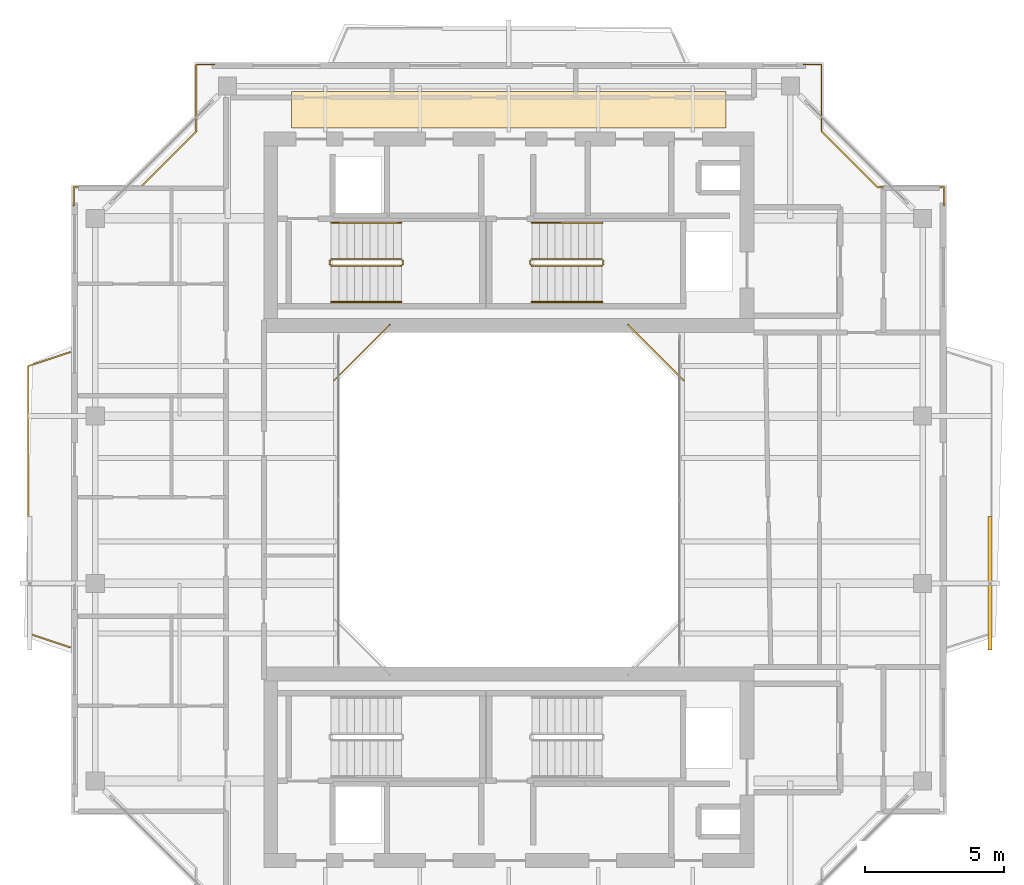
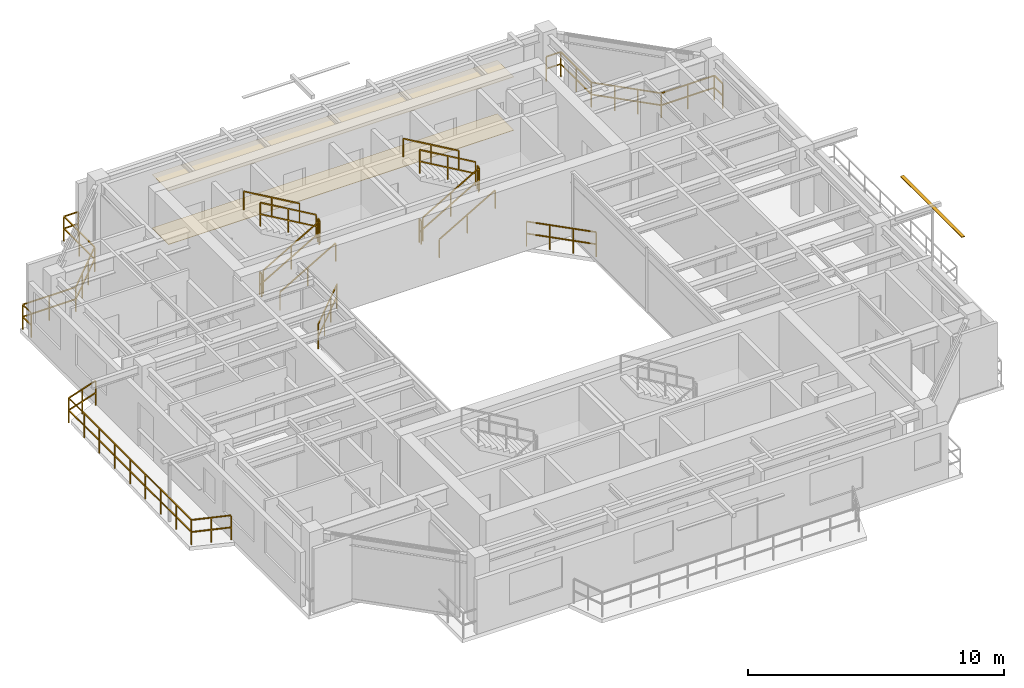
# One storey, part 14 of 15: 17 railings, 2 coverings, 1 shading device.
"""IFC4 building model written with IfcOpenShell, lengths in metres."""

from ifc_helpers import new_model, si_unit, direction, frame, origin, origin_2d, place, context, subcontext, project, spatial, polyline, rectangle, outline, extrude, source, transform, mapped, material, layer, layer_set, material_profile, profile_set, type_object, element, save


model = new_model("IFC4")

# Units and contexts
model_context = context("Model", 3, precision=1e-05, world=origin(), true_north=direction((0.0, 1.0)))
body_context = subcontext(model_context, "Body", "Model", "MODEL_VIEW")
ifc_project = project(units=[si_unit("LENGTHUNIT", "METRE"), si_unit("AREAUNIT", "SQUARE_METRE"), si_unit("VOLUMEUNIT", "CUBIC_METRE"), si_unit("PLANEANGLEUNIT", "RADIAN"), si_unit("MASSUNIT", "GRAM", prefix="KILO"), si_unit("THERMODYNAMICTEMPERATUREUNIT", "KELVIN"), si_unit("POWERUNIT", "WATT")], contexts=[model_context])

# Site, building, storey
site_placement = place(None, origin())
site = spatial("IfcSite", under=ifc_project, at=site_placement, CompositionType="ELEMENT")
building_placement = place(site_placement, origin())
building = spatial("IfcBuilding", under=site, at=building_placement, Name="Qiaomeng Ring Towers", CompositionType="ELEMENT")
storey_placement = place(building_placement, frame((0.0, 0.0, 256.75)))
storey = spatial("IfcBuildingStorey", under=building, at=storey_placement, Name="L75", CompositionType="ELEMENT", Elevation=256.75)

# Coverings
ifc_material_1 = material(Name="Moisture-resistant gypsum ceiling board", Category="gypsum")
ifc_layer_1 = layer(ifc_material_1, 0.030029296875, Name="Moisture-resistant gypsum ceiling board")
ifc_layer_set_1 = layer_set([ifc_layer_1], Name="Moisture-resistant gypsum ceiling board")
covering_type_1 = type_object("IfcCoveringType", Name="ARC-COV-CEIL2", PredefinedType="CEILING", material=ifc_layer_set_1)
covering_1_placement = place(storey_placement, frame((0.0, 0.0, 2.550048828125)))
element("IfcCovering", 1, at=covering_1_placement, inside=storey, type_object=covering_type_1, Name="L75 Corridor Acoustic Ceiling", PredefinedType="CEILING", context=body_context, shape_type="SweptSolid", body=[
    extrude(outline(polyline([(11.199951171875, 36.35009765625), (11.199951171875, 37.64990234375), (26.800048828125, 37.64990234375), (26.800048828125, 36.35009765625), (11.199951171875, 36.35009765625)])), origin(), (0.0, 0.0, 1.0), 0.02490234375),
])
ifc_material_2 = material(Name="Vitrified porcelain floor tile", Category="ceramic")
ifc_layer_2 = layer(ifc_material_2, 0.02001953125, Name="Vitrified porcelain floor tile")
ifc_layer_set_2 = layer_set([ifc_layer_2], Name="Vitrified porcelain floor tile")
covering_type_2 = type_object("IfcCoveringType", Name="ARC-COV-FLR1", PredefinedType="FLOORING", material=ifc_layer_set_2)
covering_2_placement = place(storey_placement, origin())
element("IfcCovering", 2, at=covering_2_placement, inside=storey, type_object=covering_type_2, Name="L75 Corridor Stone Flooring", PredefinedType="FLOORING", context=body_context, shape_type="SweptSolid", body=[
    extrude(outline(polyline([(11.199951171875, 36.35009765625), (11.199951171875, 37.64990234375), (26.800048828125, 37.64990234375), (26.800048828125, 36.35009765625), (11.199951171875, 36.35009765625)])), origin(), (0.0, 0.0, 1.0), 0.02001953125),
])

# Railings
ifc_material_3 = material(Name="Low-E pale-green laminated safety glass", Category="glass")
railing_type_1 = type_object("IfcRailingType", Name="ARC-RL-BAL1", PredefinedType="BALUSTRADE", material=ifc_material_3)
railing_1_placement = place(storey_placement, frame((25.280029296875, 27.280029296875, 0.0)))
element("IfcRailing", 3, at=railing_1_placement, inside=storey, type_object=railing_type_1, Name="L75 Balustrade ARC-BAL-WELL1-L75-2", PredefinedType="BALUSTRADE", context=body_context, shape_type="SweptSolid", body=[
    extrude(rectangle(XDim=0.048095703125, YDim=0.048095703125, at=origin_2d()), frame((0.0, 0.0, 1.17578125), z_axis=(-0.707106781187, 0.707106781187, 0.0), x_axis=(-0.707106781187, -0.707106781187, 0.0)), (0.0, 0.0, 1.0), 2.828369140625),
    extrude(rectangle(XDim=0.048095703125, YDim=0.048095703125, at=origin_2d()), frame((0.0, 0.0, 0.60009765625), z_axis=(-0.707106781187, 0.707106781187, 0.0), x_axis=(-0.707106781187, -0.707106781187, 0.0)), (0.0, 0.0, 1.0), 2.828369140625),
    extrude(rectangle(XDim=0.0419921875, YDim=0.0419921875, at=origin_2d()), origin(), (0.0, 0.0, 1.0), 1.15185546875),
    extrude(rectangle(XDim=0.0419921875, YDim=0.0419921875, at=origin_2d()), frame((-0.666748046875, 0.666748046875, 0.0)), (0.0, 0.0, 1.0), 1.15185546875),
    extrude(rectangle(XDim=0.0419921875, YDim=0.0419921875, at=origin_2d()), frame((-1.333251953125, 1.333251953125, 0.0)), (0.0, 0.0, 1.0), 1.15185546875),
    extrude(rectangle(XDim=0.0419921875, YDim=0.0419921875, at=origin_2d()), frame((-2.0, 2.0, 0.0)), (0.0, 0.0, 1.0), 1.15185546875),
])
railing_2_placement = place(storey_placement, frame((14.719970703125, 29.280029296875, 0.0)))
element("IfcRailing", 4, at=railing_2_placement, inside=storey, type_object=railing_type_1, Name="L75 Balustrade ARC-BAL-WELL1-L75-3", PredefinedType="BALUSTRADE", context=body_context, shape_type="SweptSolid", body=[
    extrude(rectangle(XDim=0.048095703125, YDim=0.048095703125, at=origin_2d()), frame((0.0, 0.0, 1.17578125), z_axis=(-0.707106781187, -0.707106781187, 0.0), x_axis=(0.707106781187, -0.707106781187, 0.0)), (0.0, 0.0, 1.0), 2.828369140625),
    extrude(rectangle(XDim=0.048095703125, YDim=0.048095703125, at=origin_2d()), frame((0.0, 0.0, 0.60009765625), z_axis=(-0.707106781187, -0.707106781187, 0.0), x_axis=(0.707106781187, -0.707106781187, 0.0)), (0.0, 0.0, 1.0), 2.828369140625),
    extrude(rectangle(XDim=0.0419921875, YDim=0.0419921875, at=origin_2d()), origin(), (0.0, 0.0, 1.0), 1.15185546875),
    extrude(rectangle(XDim=0.0419921875, YDim=0.0419921875, at=origin_2d()), frame((-0.666748046875, -0.666748046875, 0.0)), (0.0, 0.0, 1.0), 1.15185546875),
    extrude(rectangle(XDim=0.0419921875, YDim=0.0419921875, at=origin_2d()), frame((-1.333251953125, -1.333251953125, 0.0)), (0.0, 0.0, 1.0), 1.15185546875),
    extrude(rectangle(XDim=0.0419921875, YDim=0.0419921875, at=origin_2d()), frame((-2.0, -2.0, 0.0)), (0.0, 0.0, 1.0), 1.15185546875),
])
railing_3_placement = place(storey_placement, frame((34.6201171875, 33.570068359375, 0.0)))
element("IfcRailing", 5, at=railing_3_placement, inside=storey, type_object=railing_type_1, Name="L75 Balustrade ARC-BAL-NOTCH1-L75-NE", PredefinedType="BALUSTRADE", context=body_context, shape_type="SweptSolid", body=[
    extrude(rectangle(XDim=0.048095703125, YDim=0.048095703125, at=origin_2d()), frame((0.0, 0.0, 1.17578125), z_axis=(0.0, 1.0, 0.0), x_axis=(-1.0, 0.0, 0.0)), (0.0, 0.0, 1.0), 0.64990234375),
    extrude(rectangle(XDim=0.048095703125, YDim=0.048095703125, at=origin_2d()), frame((0.0, 0.0, 0.60009765625), z_axis=(0.0, 1.0, 0.0), x_axis=(-1.0, 0.0, 0.0)), (0.0, 0.0, 1.0), 0.64990234375),
    extrude(rectangle(XDim=0.048095703125, YDim=0.048095703125, at=origin_2d()), frame((0.0, 0.64990234375, 1.17578125), z_axis=(-1.0, 0.0, 0.0), x_axis=(0.0, -1.0, 0.0)), (0.0, 0.0, 1.0), 2.400146484375),
    extrude(rectangle(XDim=0.048095703125, YDim=0.048095703125, at=origin_2d()), frame((0.0, 0.64990234375, 0.60009765625), z_axis=(-1.0, 0.0, 0.0), x_axis=(0.0, -1.0, 0.0)), (0.0, 0.0, 1.0), 2.400146484375),
    extrude(rectangle(XDim=0.048095703125, YDim=0.048095703125, at=origin_2d()), frame((-2.400146484375, 0.64990234375, 1.17578125), z_axis=(-0.707106781187, 0.707106781187, 0.0), x_axis=(-0.707106781187, -0.707106781187, 0.0)), (0.0, 0.0, 1.0), 2.828369140625),
    extrude(rectangle(XDim=0.048095703125, YDim=0.048095703125, at=origin_2d()), frame((-2.400146484375, 0.64990234375, 0.60009765625), z_axis=(-0.707106781187, 0.707106781187, 0.0), x_axis=(-0.707106781187, -0.707106781187, 0.0)), (0.0, 0.0, 1.0), 2.828369140625),
    extrude(rectangle(XDim=0.048095703125, YDim=0.048095703125, at=origin_2d()), frame((-4.400146484375, 2.64990234375, 1.17578125), z_axis=(0.0, 1.0, 0.0), x_axis=(-1.0, 0.0, 0.0)), (0.0, 0.0, 1.0), 2.400146484375),
    extrude(rectangle(XDim=0.048095703125, YDim=0.048095703125, at=origin_2d()), frame((-4.400146484375, 2.64990234375, 0.60009765625), z_axis=(0.0, 1.0, 0.0), x_axis=(-1.0, 0.0, 0.0)), (0.0, 0.0, 1.0), 2.400146484375),
    extrude(rectangle(XDim=0.048095703125, YDim=0.048095703125, at=origin_2d()), frame((-4.400146484375, 5.050048828125, 1.17578125), z_axis=(-1.0, 0.0, 0.0), x_axis=(0.0, -1.0, 0.0)), (0.0, 0.0, 1.0), 0.64990234375),
    extrude(rectangle(XDim=0.048095703125, YDim=0.048095703125, at=origin_2d()), frame((-4.400146484375, 5.050048828125, 0.60009765625), z_axis=(-1.0, 0.0, 0.0), x_axis=(0.0, -1.0, 0.0)), (0.0, 0.0, 1.0), 0.64990234375),
    extrude(rectangle(XDim=0.0419921875, YDim=0.0419921875, at=origin_2d()), origin(), (0.0, 0.0, 1.0), 1.15185546875),
    extrude(rectangle(XDim=0.0419921875, YDim=0.0419921875, at=origin_2d()), frame((0.0, 0.64990234375, 0.0)), (0.0, 0.0, 1.0), 1.15185546875),
    extrude(rectangle(XDim=0.0419921875, YDim=0.0419921875, at=origin_2d()), frame((-1.2001953125, 0.64990234375, 0.0)), (0.0, 0.0, 1.0), 1.15185546875),
    extrude(rectangle(XDim=0.0419921875, YDim=0.0419921875, at=origin_2d()), frame((-2.400146484375, 0.64990234375, 0.0)), (0.0, 0.0, 1.0), 1.15185546875),
    extrude(rectangle(XDim=0.0419921875, YDim=0.0419921875, at=origin_2d()), frame((-3.06689453125, 1.316650390625, 0.0)), (0.0, 0.0, 1.0), 1.15185546875),
    extrude(rectangle(XDim=0.0419921875, YDim=0.0419921875, at=origin_2d()), frame((-3.7333984375, 1.983154296875, 0.0)), (0.0, 0.0, 1.0), 1.15185546875),
    extrude(rectangle(XDim=0.0419921875, YDim=0.0419921875, at=origin_2d()), frame((-4.400146484375, 2.64990234375, 0.0)), (0.0, 0.0, 1.0), 1.15185546875),
    extrude(rectangle(XDim=0.0419921875, YDim=0.0419921875, at=origin_2d()), frame((-4.400146484375, 3.85009765625, 0.0)), (0.0, 0.0, 1.0), 1.15185546875),
    extrude(rectangle(XDim=0.0419921875, YDim=0.0419921875, at=origin_2d()), frame((-4.400146484375, 5.050048828125, 0.0)), (0.0, 0.0, 1.0), 1.15185546875),
    extrude(rectangle(XDim=0.0419921875, YDim=0.0419921875, at=origin_2d()), frame((-5.050048828125, 5.050048828125, 0.0)), (0.0, 0.0, 1.0), 1.15185546875),
])
railing_4_placement = place(storey_placement, frame((8.429931640625, 38.6201171875, 0.0)))
element("IfcRailing", 6, at=railing_4_placement, inside=storey, type_object=railing_type_1, Name="L75 Balustrade ARC-BAL-NOTCH1-L75-NW", PredefinedType="BALUSTRADE", context=body_context, shape_type="SweptSolid", body=[
    extrude(rectangle(XDim=0.048095703125, YDim=0.048095703125, at=origin_2d()), frame((0.0, 0.0, 1.17578125), z_axis=(-1.0, 0.0, 0.0), x_axis=(0.0, -1.0, 0.0)), (0.0, 0.0, 1.0), 0.64990234375),
    extrude(rectangle(XDim=0.048095703125, YDim=0.048095703125, at=origin_2d()), frame((0.0, 0.0, 0.60009765625), z_axis=(-1.0, 0.0, 0.0), x_axis=(0.0, -1.0, 0.0)), (0.0, 0.0, 1.0), 0.64990234375),
    extrude(rectangle(XDim=0.048095703125, YDim=0.048095703125, at=origin_2d()), frame((-0.64990234375, 0.0, 1.17578125), z_axis=(0.0, -1.0, 0.0), x_axis=(1.0, 0.0, 0.0)), (0.0, 0.0, 1.0), 2.400146484375),
    extrude(rectangle(XDim=0.048095703125, YDim=0.048095703125, at=origin_2d()), frame((-0.64990234375, 0.0, 0.60009765625), z_axis=(0.0, -1.0, 0.0), x_axis=(1.0, 0.0, 0.0)), (0.0, 0.0, 1.0), 2.400146484375),
    extrude(rectangle(XDim=0.048095703125, YDim=0.048095703125, at=origin_2d()), frame((-0.64990234375, -2.400146484375, 1.17578125), z_axis=(-0.707106781187, -0.707106781187, 0.0), x_axis=(0.707106781187, -0.707106781187, 0.0)), (0.0, 0.0, 1.0), 2.828369140625),
    extrude(rectangle(XDim=0.048095703125, YDim=0.048095703125, at=origin_2d()), frame((-0.64990234375, -2.400146484375, 0.60009765625), z_axis=(-0.707106781187, -0.707106781187, 0.0), x_axis=(0.707106781187, -0.707106781187, 0.0)), (0.0, 0.0, 1.0), 2.828369140625),
    extrude(rectangle(XDim=0.048095703125, YDim=0.048095703125, at=origin_2d()), frame((-2.64990234375, -4.400146484375, 1.17578125), z_axis=(-1.0, 0.0, 0.0), x_axis=(0.0, -1.0, 0.0)), (0.0, 0.0, 1.0), 2.400146484375),
    extrude(rectangle(XDim=0.048095703125, YDim=0.048095703125, at=origin_2d()), frame((-2.64990234375, -4.400146484375, 0.60009765625), z_axis=(-1.0, 0.0, 0.0), x_axis=(0.0, -1.0, 0.0)), (0.0, 0.0, 1.0), 2.400146484375),
    extrude(rectangle(XDim=0.048095703125, YDim=0.048095703125, at=origin_2d()), frame((-5.050048828125, -4.400146484375, 1.17578125), z_axis=(0.0, -1.0, 0.0), x_axis=(1.0, 0.0, 0.0)), (0.0, 0.0, 1.0), 0.64990234375),
    extrude(rectangle(XDim=0.048095703125, YDim=0.048095703125, at=origin_2d()), frame((-5.050048828125, -4.400146484375, 0.60009765625), z_axis=(0.0, -1.0, 0.0), x_axis=(1.0, 0.0, 0.0)), (0.0, 0.0, 1.0), 0.64990234375),
    extrude(rectangle(XDim=0.0419921875, YDim=0.0419921875, at=origin_2d()), origin(), (0.0, 0.0, 1.0), 1.15185546875),
    extrude(rectangle(XDim=0.0419921875, YDim=0.0419921875, at=origin_2d()), frame((-0.64990234375, 0.0, 0.0)), (0.0, 0.0, 1.0), 1.15185546875),
    extrude(rectangle(XDim=0.0419921875, YDim=0.0419921875, at=origin_2d()), frame((-0.64990234375, -1.2001953125, 0.0)), (0.0, 0.0, 1.0), 1.15185546875),
    extrude(rectangle(XDim=0.0419921875, YDim=0.0419921875, at=origin_2d()), frame((-0.64990234375, -2.400146484375, 0.0)), (0.0, 0.0, 1.0), 1.15185546875),
    extrude(rectangle(XDim=0.0419921875, YDim=0.0419921875, at=origin_2d()), frame((-1.316650390625, -3.06689453125, 0.0)), (0.0, 0.0, 1.0), 1.15185546875),
    extrude(rectangle(XDim=0.0419921875, YDim=0.0419921875, at=origin_2d()), frame((-1.983154296875, -3.7333984375, 0.0)), (0.0, 0.0, 1.0), 1.15185546875),
    extrude(rectangle(XDim=0.0419921875, YDim=0.0419921875, at=origin_2d()), frame((-2.64990234375, -4.400146484375, 0.0)), (0.0, 0.0, 1.0), 1.15185546875),
    extrude(rectangle(XDim=0.0419921875, YDim=0.0419921875, at=origin_2d()), frame((-3.85009765625, -4.400146484375, 0.0)), (0.0, 0.0, 1.0), 1.15185546875),
    extrude(rectangle(XDim=0.0419921875, YDim=0.0419921875, at=origin_2d()), frame((-5.050048828125, -4.400146484375, 0.0)), (0.0, 0.0, 1.0), 1.15185546875),
    extrude(rectangle(XDim=0.0419921875, YDim=0.0419921875, at=origin_2d()), frame((-5.050048828125, -5.050048828125, 0.0)), (0.0, 0.0, 1.0), 1.15185546875),
])
railing_5_placement = place(storey_placement, frame((3.25, 17.699951171875, 0.0)))
element("IfcRailing", 7, at=railing_5_placement, inside=storey, type_object=railing_type_1, Name="L75 Balustrade ARC-BAL-L75-T1-W", PredefinedType="BALUSTRADE", context=body_context, shape_type="SweptSolid", body=[
    extrude(rectangle(XDim=0.048095703125, YDim=0.048095703125, at=origin_2d()), frame((0.0, 0.0, 1.17578125), z_axis=(-0.948683298051, 0.316227766017, 0.0), x_axis=(-0.316227766017, -0.948683298051, 0.0)), (0.0, 0.0, 1.0), 1.5810546875),
    extrude(rectangle(XDim=0.048095703125, YDim=0.048095703125, at=origin_2d()), frame((0.0, 0.0, 0.60009765625), z_axis=(-0.948683298051, 0.316227766017, 0.0), x_axis=(-0.316227766017, -0.948683298051, 0.0)), (0.0, 0.0, 1.0), 1.5810546875),
    extrude(rectangle(XDim=0.048095703125, YDim=0.048095703125, at=origin_2d()), frame((-1.5, 0.5, 1.17578125), z_axis=(0.0, 1.0, 0.0), x_axis=(-1.0, 0.0, 0.0)), (0.0, 0.0, 1.0), 9.60009765625),
    extrude(rectangle(XDim=0.048095703125, YDim=0.048095703125, at=origin_2d()), frame((-1.5, 0.5, 0.60009765625), z_axis=(0.0, 1.0, 0.0), x_axis=(-1.0, 0.0, 0.0)), (0.0, 0.0, 1.0), 9.60009765625),
    extrude(rectangle(XDim=0.048095703125, YDim=0.048095703125, at=origin_2d()), frame((-1.5, 10.10009765625, 1.17578125), z_axis=(0.948683298051, 0.316227766017, 0.0), x_axis=(-0.316227766017, 0.948683298051, 0.0)), (0.0, 0.0, 1.0), 1.5810546875),
    extrude(rectangle(XDim=0.048095703125, YDim=0.048095703125, at=origin_2d()), frame((-1.5, 10.10009765625, 0.60009765625), z_axis=(0.948683298051, 0.316227766017, 0.0), x_axis=(-0.316227766017, 0.948683298051, 0.0)), (0.0, 0.0, 1.0), 1.5810546875),
    extrude(rectangle(XDim=0.0419921875, YDim=0.0419921875, at=origin_2d()), origin(), (0.0, 0.0, 1.0), 1.15185546875),
    extrude(rectangle(XDim=0.0419921875, YDim=0.0419921875, at=origin_2d()), frame((-0.75, 0.25, 0.0)), (0.0, 0.0, 1.0), 1.15185546875),
    extrude(rectangle(XDim=0.0419921875, YDim=0.0419921875, at=origin_2d()), frame((-1.5, 0.5, 0.0)), (0.0, 0.0, 1.0), 1.15185546875),
    extrude(rectangle(XDim=0.0419921875, YDim=0.0419921875, at=origin_2d()), frame((-1.5, 1.699951171875, 0.0)), (0.0, 0.0, 1.0), 1.15185546875),
    extrude(rectangle(XDim=0.0419921875, YDim=0.0419921875, at=origin_2d()), frame((-1.5, 2.89990234375, 0.0)), (0.0, 0.0, 1.0), 1.15185546875),
    extrude(rectangle(XDim=0.0419921875, YDim=0.0419921875, at=origin_2d()), frame((-1.5, 4.10009765625, 0.0)), (0.0, 0.0, 1.0), 1.15185546875),
    extrude(rectangle(XDim=0.0419921875, YDim=0.0419921875, at=origin_2d()), frame((-1.5, 5.300048828125, 0.0)), (0.0, 0.0, 1.0), 1.15185546875),
    extrude(rectangle(XDim=0.0419921875, YDim=0.0419921875, at=origin_2d()), frame((-1.5, 6.5, 0.0)), (0.0, 0.0, 1.0), 1.15185546875),
    extrude(rectangle(XDim=0.0419921875, YDim=0.0419921875, at=origin_2d()), frame((-1.5, 7.7001953125, 0.0)), (0.0, 0.0, 1.0), 1.15185546875),
    extrude(rectangle(XDim=0.0419921875, YDim=0.0419921875, at=origin_2d()), frame((-1.5, 8.900146484375, 0.0)), (0.0, 0.0, 1.0), 1.15185546875),
    extrude(rectangle(XDim=0.0419921875, YDim=0.0419921875, at=origin_2d()), frame((-1.5, 10.10009765625, 0.0)), (0.0, 0.0, 1.0), 1.15185546875),
    extrude(rectangle(XDim=0.0419921875, YDim=0.0419921875, at=origin_2d()), frame((-0.75, 10.35009765625, 0.0)), (0.0, 0.0, 1.0), 1.15185546875),
    extrude(rectangle(XDim=0.0419921875, YDim=0.0419921875, at=origin_2d()), frame((0.0, 10.60009765625, 0.0)), (0.0, 0.0, 1.0), 1.15185546875),
])
ifc_material_4 = material(Name="Galvanised steel", Category="steel")
railing_type_2 = type_object("IfcRailingType", Name="ARC-RL-GUARD", PredefinedType="GUARDRAIL", material=ifc_material_4)
railing_6_placement = place(storey_placement, frame((12.6201171875, 31.39990234375, 0.16259765625)))
element("IfcRailing", 8, at=railing_6_placement, inside=storey, type_object=railing_type_2, Name="L75 ST1 stair guard 1", PredefinedType="GUARDRAIL", context=body_context, shape_type="SweptSolid", body=[
    extrude(rectangle(XDim=0.048095703125, YDim=0.048095703125, at=origin_2d()), frame((0.0, 0.0, 1.1259765625), z_axis=(0.864892226395, 0.0, 0.501957604506), x_axis=(0.0, 1.0, 0.0)), (0.0, 0.0, 1.0), 2.913330078125),
    extrude(rectangle(XDim=0.048095703125, YDim=0.048095703125, at=origin_2d()), frame((0.0, 0.0, 0.574951171875), z_axis=(0.864892226395, 0.0, 0.501957604506), x_axis=(0.0, 1.0, 0.0)), (0.0, 0.0, 1.0), 2.913330078125),
    extrude(rectangle(XDim=0.0419921875, YDim=0.0419921875, at=origin_2d()), origin(), (0.0, 0.0, 1.0), 1.101806640625),
    extrude(rectangle(XDim=0.0419921875, YDim=0.0419921875, at=origin_2d()), frame((1.259765625, 0.0, 0.731201171875)), (0.0, 0.0, 1.0), 1.101806640625),
    extrude(rectangle(XDim=0.0419921875, YDim=0.0419921875, at=origin_2d()), frame((2.519775390625, 0.0, 1.46240234375)), (0.0, 0.0, 1.0), 1.101806640625),
])
railing_7_placement = place(storey_placement, frame((15.18994140625, 31.449951171875, 1.625)))
element("IfcRailing", 9, at=railing_7_placement, inside=storey, type_object=railing_type_2, Name="L75 ST1 stair guard 2", PredefinedType="GUARDRAIL", context=body_context, shape_type="SweptSolid", body=[
    extrude(rectangle(XDim=0.048095703125, YDim=0.048095703125, at=origin_2d()), frame((0.0, 0.0, 1.1259765625), z_axis=(0.0, 1.0, 0.0), x_axis=(-1.0, 0.0, 0.0)), (0.0, 0.0, 1.0), 0.14013671875),
    extrude(rectangle(XDim=0.048095703125, YDim=0.048095703125, at=origin_2d()), frame((0.0, 0.0, 0.574951171875), z_axis=(0.0, 1.0, 0.0), x_axis=(-1.0, 0.0, 0.0)), (0.0, 0.0, 1.0), 0.14013671875),
    extrude(rectangle(XDim=0.0419921875, YDim=0.0419921875, at=origin_2d()), origin(), (0.0, 0.0, 1.0), 1.101806640625),
    extrude(rectangle(XDim=0.0419921875, YDim=0.0419921875, at=origin_2d()), frame((0.0, 0.14013671875, 0.0)), (0.0, 0.0, 1.0), 1.101806640625),
])
railing_8_placement = place(storey_placement, frame((15.139892578125, 31.639892578125, 1.78759765625)))
element("IfcRailing", 10, at=railing_8_placement, inside=storey, type_object=railing_type_2, Name="L75 ST1 stair guard 3", PredefinedType="GUARDRAIL", context=body_context, shape_type="SweptSolid", body=[
    extrude(rectangle(XDim=0.048095703125, YDim=0.048095703125, at=origin_2d()), frame((0.0, 0.0, 1.1259765625), z_axis=(-0.864892226395, 0.0, 0.501957604506), x_axis=(0.0, -1.0, 0.0)), (0.0, 0.0, 1.0), 2.913330078125),
    extrude(rectangle(XDim=0.048095703125, YDim=0.048095703125, at=origin_2d()), frame((0.0, 0.0, 0.574951171875), z_axis=(-0.864892226395, 0.0, 0.501957604506), x_axis=(0.0, -1.0, 0.0)), (0.0, 0.0, 1.0), 2.913330078125),
    extrude(rectangle(XDim=0.0419921875, YDim=0.0419921875, at=origin_2d()), origin(), (0.0, 0.0, 1.0), 1.101806640625),
    extrude(rectangle(XDim=0.0419921875, YDim=0.0419921875, at=origin_2d()), frame((-1.259765625, 0.0, 0.731201171875)), (0.0, 0.0, 1.0), 1.101806640625),
    extrude(rectangle(XDim=0.0419921875, YDim=0.0419921875, at=origin_2d()), frame((-2.519775390625, 0.0, 1.46240234375)), (0.0, 0.0, 1.0), 1.101806640625),
])
railing_9_placement = place(storey_placement, frame((12.570068359375, 31.449951171875, 0.0)))
element("IfcRailing", 11, at=railing_9_placement, inside=storey, type_object=railing_type_2, Name="L75 ST1 stair guard 4", PredefinedType="GUARDRAIL", context=body_context, shape_type="SweptSolid", body=[
    extrude(rectangle(XDim=0.048095703125, YDim=0.048095703125, at=origin_2d()), frame((0.0, 0.0, 1.1259765625), z_axis=(0.0, 1.0, 0.0), x_axis=(-1.0, 0.0, 0.0)), (0.0, 0.0, 1.0), 0.14013671875),
    extrude(rectangle(XDim=0.048095703125, YDim=0.048095703125, at=origin_2d()), frame((0.0, 0.0, 0.574951171875), z_axis=(0.0, 1.0, 0.0), x_axis=(-1.0, 0.0, 0.0)), (0.0, 0.0, 1.0), 0.14013671875),
    extrude(rectangle(XDim=0.0419921875, YDim=0.0419921875, at=origin_2d()), origin(), (0.0, 0.0, 1.0), 1.101806640625),
    extrude(rectangle(XDim=0.0419921875, YDim=0.0419921875, at=origin_2d()), frame((0.0, 0.14013671875, 0.0)), (0.0, 0.0, 1.0), 1.101806640625),
])
railing_10_placement = place(storey_placement, frame((19.820068359375, 31.39990234375, 0.16259765625)))
element("IfcRailing", 12, at=railing_10_placement, inside=storey, type_object=railing_type_2, Name="L75 ST2 stair guard 1", PredefinedType="GUARDRAIL", context=body_context, shape_type="SweptSolid", body=[
    extrude(rectangle(XDim=0.048095703125, YDim=0.048095703125, at=origin_2d()), frame((0.0, 0.0, 1.1259765625), z_axis=(0.864913338283, 0.0, 0.50192122615), x_axis=(0.0, 1.0, 0.0)), (0.0, 0.0, 1.0), 2.91357421875),
    extrude(rectangle(XDim=0.048095703125, YDim=0.048095703125, at=origin_2d()), frame((0.0, 0.0, 0.574951171875), z_axis=(0.864913338283, 0.0, 0.50192122615), x_axis=(0.0, 1.0, 0.0)), (0.0, 0.0, 1.0), 2.91357421875),
    extrude(rectangle(XDim=0.0419921875, YDim=0.0419921875, at=origin_2d()), origin(), (0.0, 0.0, 1.0), 1.101806640625),
    extrude(rectangle(XDim=0.0419921875, YDim=0.0419921875, at=origin_2d()), frame((1.260009765625, 0.0, 0.731201171875)), (0.0, 0.0, 1.0), 1.101806640625),
    extrude(rectangle(XDim=0.0419921875, YDim=0.0419921875, at=origin_2d()), frame((2.52001953125, 0.0, 1.46240234375)), (0.0, 0.0, 1.0), 1.101806640625),
])
railing_11_placement = place(storey_placement, frame((22.389892578125, 31.449951171875, 1.625)))
element("IfcRailing", 13, at=railing_11_placement, inside=storey, type_object=railing_type_2, Name="L75 ST2 stair guard 2", PredefinedType="GUARDRAIL", context=body_context, shape_type="SweptSolid", body=[
    extrude(rectangle(XDim=0.048095703125, YDim=0.048095703125, at=origin_2d()), frame((0.0, 0.0, 1.1259765625), z_axis=(0.0, 1.0, 0.0), x_axis=(-1.0, 0.0, 0.0)), (0.0, 0.0, 1.0), 0.14013671875),
    extrude(rectangle(XDim=0.048095703125, YDim=0.048095703125, at=origin_2d()), frame((0.0, 0.0, 0.574951171875), z_axis=(0.0, 1.0, 0.0), x_axis=(-1.0, 0.0, 0.0)), (0.0, 0.0, 1.0), 0.14013671875),
    extrude(rectangle(XDim=0.0419921875, YDim=0.0419921875, at=origin_2d()), origin(), (0.0, 0.0, 1.0), 1.101806640625),
    extrude(rectangle(XDim=0.0419921875, YDim=0.0419921875, at=origin_2d()), frame((0.0, 0.14013671875, 0.0)), (0.0, 0.0, 1.0), 1.101806640625),
])
railing_12_placement = place(storey_placement, frame((22.340087890625, 31.639892578125, 1.78759765625)))
element("IfcRailing", 14, at=railing_12_placement, inside=storey, type_object=railing_type_2, Name="L75 ST2 stair guard 3", PredefinedType="GUARDRAIL", context=body_context, shape_type="SweptSolid", body=[
    extrude(rectangle(XDim=0.048095703125, YDim=0.048095703125, at=origin_2d()), frame((0.0, 0.0, 1.1259765625), z_axis=(-0.864913338283, 0.0, 0.50192122615), x_axis=(0.0, -1.0, 0.0)), (0.0, 0.0, 1.0), 2.91357421875),
    extrude(rectangle(XDim=0.048095703125, YDim=0.048095703125, at=origin_2d()), frame((0.0, 0.0, 0.574951171875), z_axis=(-0.864913338283, 0.0, 0.50192122615), x_axis=(0.0, -1.0, 0.0)), (0.0, 0.0, 1.0), 2.91357421875),
    extrude(rectangle(XDim=0.0419921875, YDim=0.0419921875, at=origin_2d()), origin(), (0.0, 0.0, 1.0), 1.101806640625),
    extrude(rectangle(XDim=0.0419921875, YDim=0.0419921875, at=origin_2d()), frame((-1.260009765625, 0.0, 0.731201171875)), (0.0, 0.0, 1.0), 1.101806640625),
    extrude(rectangle(XDim=0.0419921875, YDim=0.0419921875, at=origin_2d()), frame((-2.52001953125, 0.0, 1.46240234375)), (0.0, 0.0, 1.0), 1.101806640625),
])
railing_13_placement = place(storey_placement, frame((19.77001953125, 31.449951171875, 0.0)))
element("IfcRailing", 15, at=railing_13_placement, inside=storey, type_object=railing_type_2, Name="L75 ST2 stair guard 4", PredefinedType="GUARDRAIL", context=body_context, shape_type="SweptSolid", body=[
    extrude(rectangle(XDim=0.048095703125, YDim=0.048095703125, at=origin_2d()), frame((0.0, 0.0, 1.1259765625), z_axis=(0.0, 1.0, 0.0), x_axis=(-1.0, 0.0, 0.0)), (0.0, 0.0, 1.0), 0.14013671875),
    extrude(rectangle(XDim=0.048095703125, YDim=0.048095703125, at=origin_2d()), frame((0.0, 0.0, 0.574951171875), z_axis=(0.0, 1.0, 0.0), x_axis=(-1.0, 0.0, 0.0)), (0.0, 0.0, 1.0), 0.14013671875),
    extrude(rectangle(XDim=0.0419921875, YDim=0.0419921875, at=origin_2d()), origin(), (0.0, 0.0, 1.0), 1.101806640625),
    extrude(rectangle(XDim=0.0419921875, YDim=0.0419921875, at=origin_2d()), frame((0.0, 0.14013671875, 0.0)), (0.0, 0.0, 1.0), 1.101806640625),
])
ifc_material_5 = material(Name="Stainless steel 316", Category="steel")
railing_type_3 = type_object("IfcRailingType", Name="ARC-RL-HAND", PredefinedType="HANDRAIL", material=ifc_material_5)
railing_14_placement = place(storey_placement, frame((12.6201171875, 30.10009765625, 0.16259765625)))
element("IfcRailing", 16, at=railing_14_placement, inside=storey, type_object=railing_type_3, Name="L75 ST1 stair handrail 1", PredefinedType="HANDRAIL", context=body_context, shape_type="SweptSolid", body=[
    extrude(rectangle(XDim=0.048095703125, YDim=0.048095703125, at=origin_2d()), frame((0.0, 0.0, 0.8759765625), z_axis=(0.864892226395, 0.0, 0.501957604506), x_axis=(0.0, 1.0, 0.0)), (0.0, 0.0, 1.0), 2.913330078125),
    extrude(rectangle(XDim=0.0419921875, YDim=0.0419921875, at=origin_2d()), origin(), (0.0, 0.0, 1.0), 0.851806640625),
    extrude(rectangle(XDim=0.0419921875, YDim=0.0419921875, at=origin_2d()), frame((1.259765625, 0.0, 0.731201171875)), (0.0, 0.0, 1.0), 0.851806640625),
    extrude(rectangle(XDim=0.0419921875, YDim=0.0419921875, at=origin_2d()), frame((2.519775390625, 0.0, 1.46240234375)), (0.0, 0.0, 1.0), 0.851806640625),
])
railing_15_placement = place(storey_placement, frame((15.139892578125, 32.93994140625, 1.78759765625)))
element("IfcRailing", 17, at=railing_15_placement, inside=storey, type_object=railing_type_3, Name="L75 ST1 stair handrail 2", PredefinedType="HANDRAIL", context=body_context, shape_type="SweptSolid", body=[
    extrude(rectangle(XDim=0.048095703125, YDim=0.048095703125, at=origin_2d()), frame((0.0, 0.0, 0.8759765625), z_axis=(-0.864892226395, 0.0, 0.501957604506), x_axis=(0.0, -1.0, 0.0)), (0.0, 0.0, 1.0), 2.913330078125),
    extrude(rectangle(XDim=0.0419921875, YDim=0.0419921875, at=origin_2d()), origin(), (0.0, 0.0, 1.0), 0.851806640625),
    extrude(rectangle(XDim=0.0419921875, YDim=0.0419921875, at=origin_2d()), frame((-1.259765625, 0.0, 0.731201171875)), (0.0, 0.0, 1.0), 0.851806640625),
    extrude(rectangle(XDim=0.0419921875, YDim=0.0419921875, at=origin_2d()), frame((-2.519775390625, 0.0, 1.46240234375)), (0.0, 0.0, 1.0), 0.851806640625),
])
railing_16_placement = place(storey_placement, frame((19.820068359375, 30.10009765625, 0.16259765625)))
element("IfcRailing", 18, at=railing_16_placement, inside=storey, type_object=railing_type_3, Name="L75 ST2 stair handrail 1", PredefinedType="HANDRAIL", context=body_context, shape_type="SweptSolid", body=[
    extrude(rectangle(XDim=0.048095703125, YDim=0.048095703125, at=origin_2d()), frame((0.0, 0.0, 0.8759765625), z_axis=(0.864913338283, 0.0, 0.50192122615), x_axis=(0.0, 1.0, 0.0)), (0.0, 0.0, 1.0), 2.91357421875),
    extrude(rectangle(XDim=0.0419921875, YDim=0.0419921875, at=origin_2d()), origin(), (0.0, 0.0, 1.0), 0.851806640625),
    extrude(rectangle(XDim=0.0419921875, YDim=0.0419921875, at=origin_2d()), frame((1.260009765625, 0.0, 0.731201171875)), (0.0, 0.0, 1.0), 0.851806640625),
    extrude(rectangle(XDim=0.0419921875, YDim=0.0419921875, at=origin_2d()), frame((2.52001953125, 0.0, 1.46240234375)), (0.0, 0.0, 1.0), 0.851806640625),
])
railing_17_placement = place(storey_placement, frame((22.340087890625, 32.93994140625, 1.78759765625)))
element("IfcRailing", 19, at=railing_17_placement, inside=storey, type_object=railing_type_3, Name="L75 ST2 stair handrail 2", PredefinedType="HANDRAIL", context=body_context, shape_type="SweptSolid", body=[
    extrude(rectangle(XDim=0.048095703125, YDim=0.048095703125, at=origin_2d()), frame((0.0, 0.0, 0.8759765625), z_axis=(-0.864913338283, 0.0, 0.50192122615), x_axis=(0.0, -1.0, 0.0)), (0.0, 0.0, 1.0), 2.91357421875),
    extrude(rectangle(XDim=0.0419921875, YDim=0.0419921875, at=origin_2d()), origin(), (0.0, 0.0, 1.0), 0.851806640625),
    extrude(rectangle(XDim=0.0419921875, YDim=0.0419921875, at=origin_2d()), frame((-1.260009765625, 0.0, 0.731201171875)), (0.0, 0.0, 1.0), 0.851806640625),
    extrude(rectangle(XDim=0.0419921875, YDim=0.0419921875, at=origin_2d()), frame((-2.52001953125, 0.0, 1.46240234375)), (0.0, 0.0, 1.0), 0.851806640625),
])

# Shading device
ifc_material_6 = material(Name="Fluorocarbon dark-grey aluminium", Category="aluminium")
ifc_material_profile = material_profile(ifc_material_6, rectangle(XDim=0.14990234375, YDim=0.034912109375, at=origin_2d()), Name="LV BLADE 150x35")
ifc_profile_set = profile_set([ifc_material_profile], Name="Fluorocarbon dark-grey aluminium")
shading_device_type = type_object("IfcShadingDeviceType", Name="ARC-SHD-SUN", PredefinedType="AWNING", material=ifc_profile_set)
shared_shape = source(origin(), body_context, "Body", "SweptSolid", [
    extrude(rectangle(XDim=0.14990234375, YDim=0.034912109375, at=origin_2d()), origin(), (0.0, 0.0, 1.0), 4.7998046875),
])
shading_device_placement = place(storey_placement, frame((36.27001953125, 17.60009765625, 2.969970703125), z_axis=(0.0, 1.0, 0.0), x_axis=(-1.0, 0.0, 0.0)))
element("IfcShadingDevice", 20, at=shading_device_placement, inside=storey, type_object=shading_device_type, Name="L75 Ventilated Outer-Skin Sunshade E", PredefinedType="AWNING", context=body_context, shape_type="MappedRepresentation", body=[
    mapped(shared_shape, transform((0.0, 0.0, 0.0), x_axis=(1.0, 0.0, 0.0), y_axis=(0.0, 1.0, 0.0), z_axis=(0.0, 0.0, 1.0), scale=1.0)),
])

save(model, "model.ifc")
